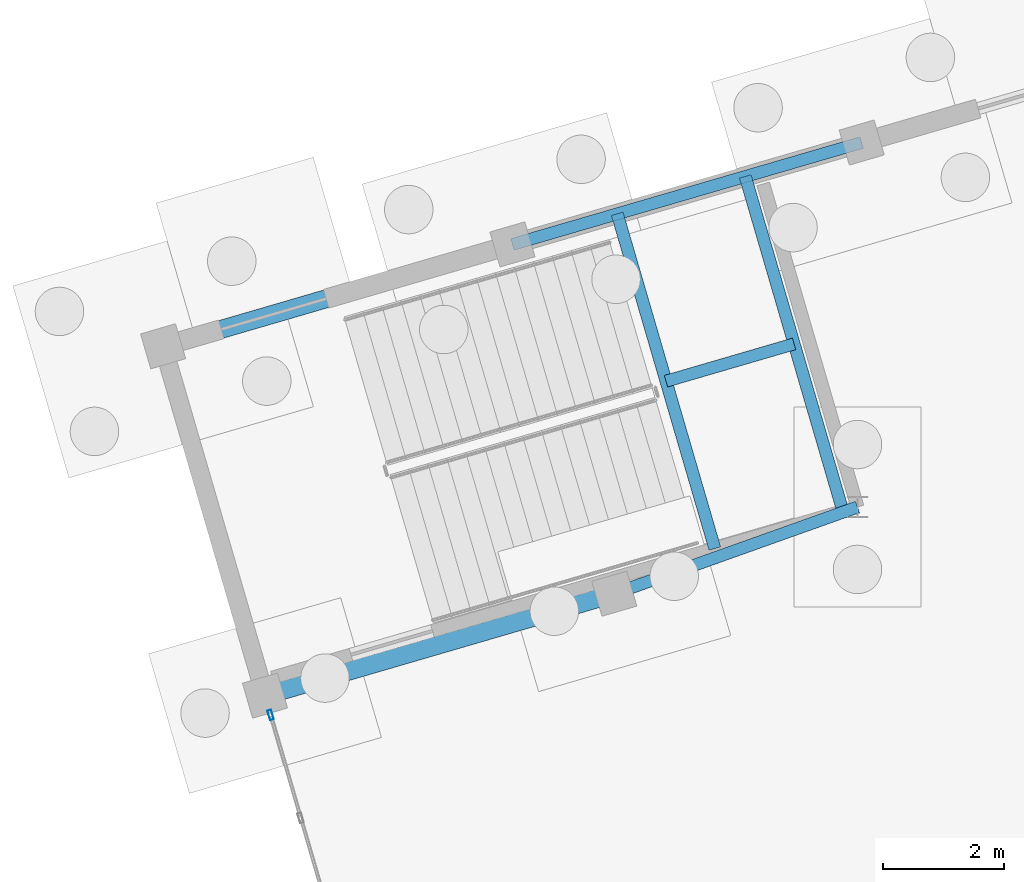
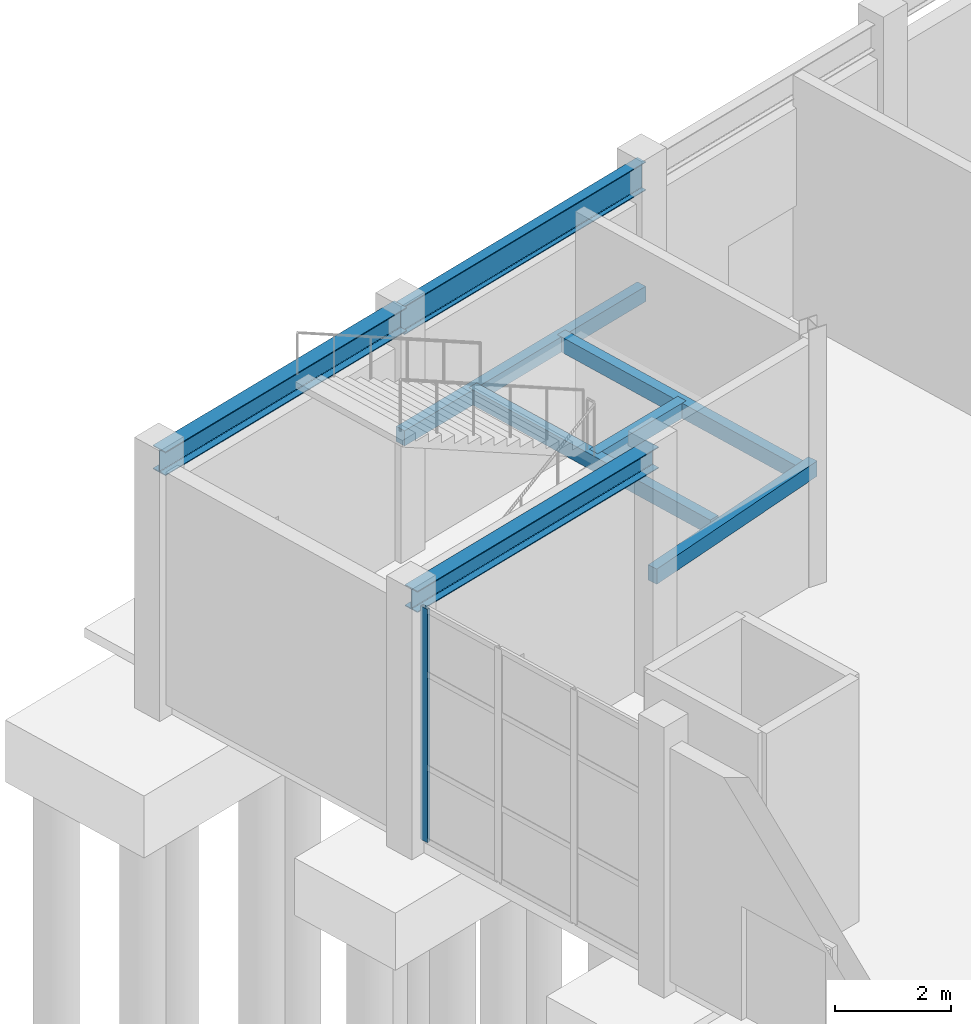
# One storey, part 50 of 90: 8 beams, 1 member, 1 element without a shape of its own.
"""IFC4 building model written with IfcOpenShell, lengths in metres."""

from ifc_helpers import new_model, si_unit, direction, frame, origin, origin_2d, place, context, subcontext, project, spatial, rectangle, hollow_rectangle, i_section, extrude, material, layer, layer_set, material_profile, profile_set, type_object, element, aggregate, save


model = new_model("IFC4")

# Units and contexts
model_context = context("Model", 3, precision=1e-05, world=origin(), true_north=direction((0.0, 1.0)))
body_context = subcontext(model_context, "Body", "Model", "MODEL_VIEW")
ifc_project = project(units=[si_unit("LENGTHUNIT", "METRE"), si_unit("AREAUNIT", "SQUARE_METRE"), si_unit("VOLUMEUNIT", "CUBIC_METRE"), si_unit("PLANEANGLEUNIT", "RADIAN"), si_unit("MASSUNIT", "GRAM", prefix="KILO")], contexts=[model_context])

# Site, building, storey
site_placement = place(None, origin())
site = spatial("IfcSite", under=ifc_project, at=site_placement, CompositionType="ELEMENT")
building_placement = place(site_placement, origin())
building = spatial("IfcBuilding", under=site, at=building_placement, Name="Canggui Botanical Conservatory", CompositionType="ELEMENT")
storey_placement = place(building_placement, origin())
storey = spatial("IfcBuildingStorey", under=building, at=storey_placement, Name="L01", CompositionType="ELEMENT", Elevation=0.0)

# Beams
ifc_material_1 = material(Name="Steel Q355B", Category="steel")
ifc_material_profile_1 = material_profile(ifc_material_1, i_section(OverallWidth=0.300048828125, OverallDepth=0.5, WebThickness=0.010986328125, FlangeThickness=0.01806640625, FilletRadius=0.02392578125, at=origin_2d()), Name="HM 500x300x11x18")
ifc_profile_set_1 = profile_set([ifc_material_profile_1], Name="Steel Q355B")
beam_type_1 = type_object("IfcBeamType", Name="BM-GL01", PredefinedType="BEAM", material=ifc_profile_set_1)
beam_1_placement = place(storey_placement, frame((59.280029296875, 113.0400390625, 4.905029296875), z_axis=(0.960003190047, 0.279989062464, 0.0), x_axis=(-0.279989062464, 0.960003190047, 0.0)))
element("IfcBeam", 1, at=beam_1_placement, inside=storey, type_object=beam_type_1, Name="Auditorium Perimeter Steel Girder 1-1", PredefinedType="BEAM", context=body_context, shape_type="SweptSolid", body=[
    extrude(i_section(OverallWidth=0.300048828125, OverallDepth=0.5, WebThickness=0.010986328125, FlangeThickness=0.01806640625, FilletRadius=0.02392578125, at=origin_2d()), origin(), (0.0, 0.0, 1.0), 6.0),
])
ifc_material_profile_2 = material_profile(ifc_material_1, i_section(OverallWidth=0.300048828125, OverallDepth=0.449951171875, WebThickness=0.010986328125, FlangeThickness=0.01806640625, FilletRadius=0.02392578125, at=origin_2d()), Name="HM 450x300x11x18")
ifc_profile_set_2 = profile_set([ifc_material_profile_2], Name="Steel Q355B")
beam_type_2 = type_object("IfcBeamType", Name="BM-GL02", PredefinedType="BEAM", material=ifc_profile_set_2)
beam_2_placement = place(storey_placement, frame((60.9599609375, 107.280029296875, 4.909912109375), z_axis=(0.960003190047, 0.279989062464, 0.0), x_axis=(-0.279989062464, 0.960003190047, 0.0)))
element("IfcBeam", 2, at=beam_2_placement, inside=storey, type_object=beam_type_2, Name="Auditorium Foyer Girder V18", PredefinedType="BEAM", context=body_context, shape_type="SweptSolid", body=[
    extrude(i_section(OverallWidth=0.300048828125, OverallDepth=0.449951171875, WebThickness=0.010986328125, FlangeThickness=0.01806640625, FilletRadius=0.02392578125, at=origin_2d()), origin(), (0.0, 0.0, 1.0), 6.0),
])
ifc_material_profile_3 = material_profile(ifc_material_1, i_section(OverallWidth=0.199951171875, OverallDepth=0.60009765625, WebThickness=0.010986328125, FlangeThickness=0.01708984375, FilletRadius=0.02392578125, at=origin_2d()), Name="HN 600x200x11x17")
ifc_profile_set_3 = profile_set([ifc_material_profile_3], Name="Steel Q355B")
beam_type_3 = type_object("IfcBeamType", Name="BM-GL04", PredefinedType="BEAM", material=ifc_profile_set_3)
beam_3_placement = place(storey_placement, frame((65.0400390625, 114.719970703125, 4.85498046875), z_axis=(0.960003190047, 0.279989062464, 0.0), x_axis=(-0.279989062464, 0.960003190047, 0.0)))
element("IfcBeam", 3, at=beam_3_placement, inside=storey, type_object=beam_type_3, Name="Auditorium Perimeter Steel Girder 2-1", PredefinedType="BEAM", context=body_context, shape_type="SweptSolid", body=[
    extrude(i_section(OverallWidth=0.199951171875, OverallDepth=0.60009765625, WebThickness=0.010986328125, FlangeThickness=0.01708984375, FilletRadius=0.02392578125, at=origin_2d()), origin(), (0.0, 0.0, 1.0), 6.0),
])
ifc_material_2 = material(Name="Concrete C35", Category="concrete")
ifc_material_profile_4 = material_profile(ifc_material_2, rectangle(XDim=0.199951171875, YDim=0.320068359375, at=origin_2d()), Name="RB 200x320")
ifc_profile_set_4 = profile_set([ifc_material_profile_4], Name="Concrete C35")
beam_type_4 = type_object("IfcBeamType", Name="BM-LIN02", PredefinedType="LINTEL", material=ifc_profile_set_4)
beam_4_placement = place(storey_placement, frame((65.0400390625, 114.719970703125, 2.3798828125), z_axis=(0.960003190047, 0.279989062464, 0.0), x_axis=(-0.279989062464, 0.960003190047, 0.0)))
element("IfcBeam", 4, at=beam_4_placement, inside=storey, type_object=beam_type_4, Name="ST-A2 Landing Header Outer", PredefinedType="LINTEL", context=body_context, shape_type="SweptSolid", body=[
    extrude(rectangle(XDim=0.199951171875, YDim=0.320068359375, at=origin_2d()), origin(), (0.0, 0.0, 1.0), 6.0),
])
beam_5_placement = place(storey_placement, frame((66.719970703125, 108.9599609375, 2.3798828125), z_axis=(0.941906570768, 0.33587499452, 0.0), x_axis=(-0.33587499452, 0.941906570768, 0.0)))
element("IfcBeam", 5, at=beam_5_placement, inside=storey, type_object=beam_type_4, Name="ST-A2 Landing Header Inner", PredefinedType="LINTEL", context=body_context, shape_type="SweptSolid", body=[
    extrude(rectangle(XDim=0.199951171875, YDim=0.320068359375, at=origin_2d()), origin(), (0.0, 0.0, 1.0), 4.25732421875),
])
for number, where, z_axis, x_axis, name in (
    (6, (66.76806640625, 115.22412109375, 2.3798828125), (0.279977173756, -0.96000665736, 0.0), (0.96000665736, 0.279977173756, 0.0), "ST-A2 Landing Trimmer 1"),
    (7, (68.8798828125, 115.840087890625, 2.3798828125), (0.280016304169, -0.959995244467, 0.0), (0.959995244467, 0.280016304169, 0.0), "ST-A2 Landing Trimmer 2"),
):
    element("IfcBeam", number, at=place(storey_placement, frame(where, z_axis=z_axis, x_axis=x_axis)), inside=storey, type_object=beam_type_4, Name=name, PredefinedType="LINTEL", context=body_context, shape_type="SweptSolid", body=[
        extrude(rectangle(XDim=0.199951171875, YDim=0.320068359375, at=origin_2d()), origin(), (0.0, 0.0, 1.0), 5.75),
    ])
beam_6_placement = place(storey_placement, frame((67.572998046875, 112.464111328125, 2.3798828125), z_axis=(0.960006214114, 0.279978693586, 0.0), x_axis=(-0.279978693586, 0.960006214114, 0.0)))
element("IfcBeam", 8, at=beam_6_placement, inside=storey, type_object=beam_type_4, Name="ST-A2 Landing Cross Tie", PredefinedType="LINTEL", context=body_context, shape_type="SweptSolid", body=[
    extrude(rectangle(XDim=0.199951171875, YDim=0.320068359375, at=origin_2d()), origin(), (0.0, 0.0, 1.0), 2.199951171875),
])

# Curtain wall, member
ifc_material_3 = material(Name="Thermally Broken Aluminium", Category="aluminium")
ifc_layer = layer(ifc_material_3, 0.1650390625, Name="Thermally Broken Aluminium", Category="aluminium")
ifc_layer_set = layer_set([ifc_layer], Name="Thermally Broken Aluminium")
curtain_wall_type = type_object("IfcCurtainWallType", Name="CW-UNIT-B", PredefinedType="USERDEFINED", material=ifc_layer_set)
curtain_wall_placement = place(storey_placement, origin())
curtain_wall = element("IfcCurtainWall", 9, at=curtain_wall_placement, inside=storey, type_object=curtain_wall_type, Name="Facade Curtain Wall CW-AUD-FOYER-2", ObjectType="UNITISED CURTAIN WALL", PredefinedType="USERDEFINED")
ifc_material_profile_5 = material_profile(ifc_material_3, hollow_rectangle(XDim=0.06494140625, YDim=0.1650390625, WallThickness=0.00390625, at=origin_2d()), Name="CWM 65x165x4")
ifc_profile_set_5 = profile_set([ifc_material_profile_5], Name="Thermally Broken Aluminium")
member_type = type_object("IfcMemberType", Name="CWM-02", PredefinedType="MULLION", material=ifc_profile_set_5)
member_placement = place(storey_placement, frame((61.052978515625, 106.960693359375, 0.0), z_axis=(0.0, 0.0, 1.0), x_axis=(-0.960000000002, -0.279999999995, 0.0)))
member = element("IfcMember", 10, at=member_placement, type_object=member_type, Name="CW-02 mullion 4", PredefinedType="MULLION", context=body_context, shape_type="SweptSolid", body=[
    extrude(hollow_rectangle(XDim=0.06494140625, YDim=0.1650390625, WallThickness=0.00390625, at=origin_2d()), origin(), (0.0, 0.0, 1.0), 4.89990234375),
])
aggregate(curtain_wall, [member])

save(model, "model.ifc")
